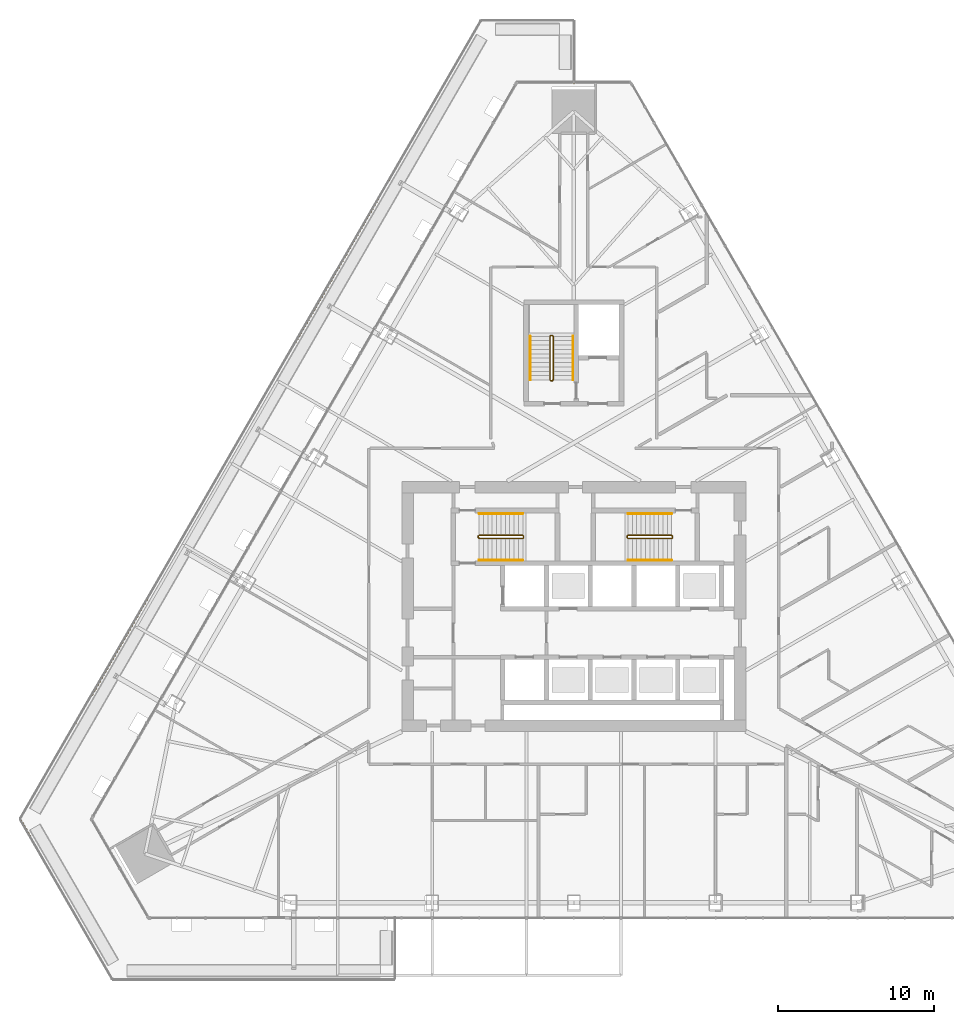
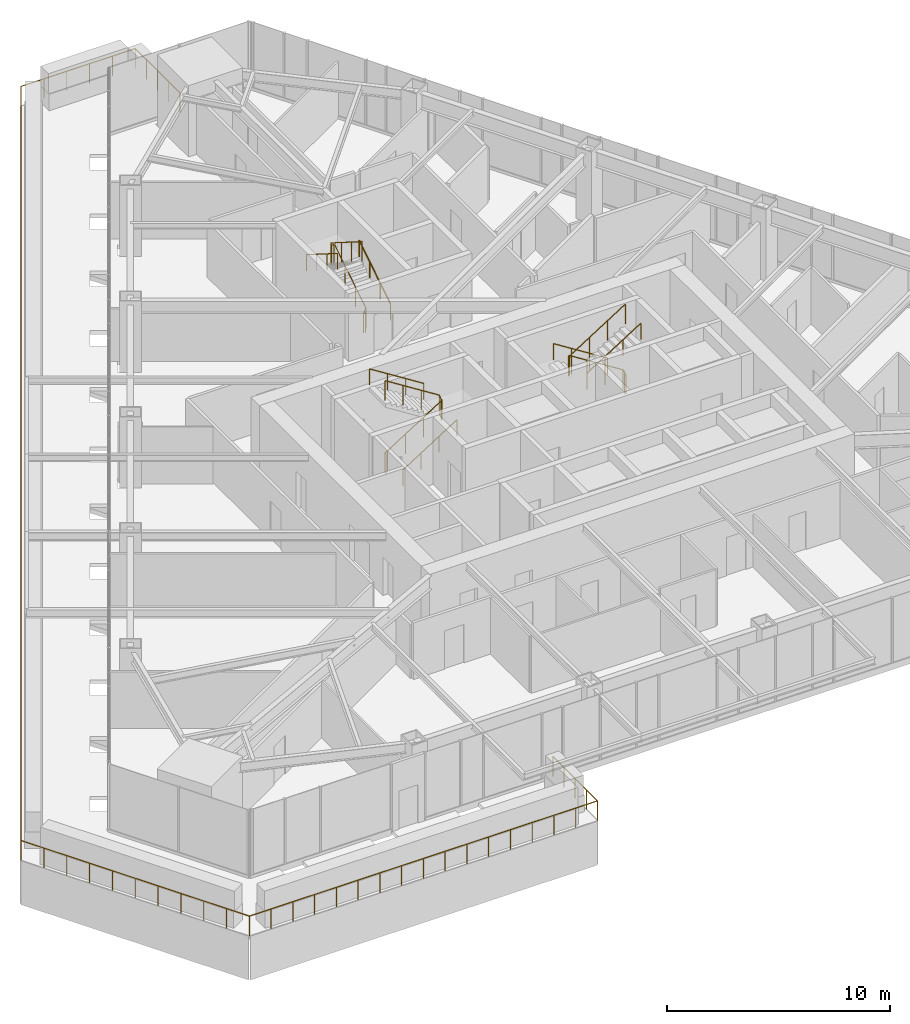
# One storey, part 33 of 35: 10 railings.
"""IFC4 building model written with IfcOpenShell, lengths in metres."""

from ifc_helpers import new_model, si_unit, direction, frame, origin, origin_2d, place, context, subcontext, project, spatial, circle, extrude, material, type_object, element, save


model = new_model("IFC4")

# Units and contexts
model_context = context("Model", 3, precision=1e-05, world=origin(), true_north=direction((0.0, 1.0)))
body_context = subcontext(model_context, "Body", "Model", "MODEL_VIEW")
ifc_project = project(units=[si_unit("LENGTHUNIT", "METRE"), si_unit("AREAUNIT", "SQUARE_METRE"), si_unit("VOLUMEUNIT", "CUBIC_METRE"), si_unit("PLANEANGLEUNIT", "RADIAN"), si_unit("MASSUNIT", "GRAM", prefix="KILO")], contexts=[model_context])

# Site, building, storey
site_placement = place(None, origin())
site = spatial("IfcSite", under=ifc_project, at=site_placement, CompositionType="ELEMENT")
building_placement = place(site_placement, origin())
building = spatial("IfcBuilding", under=site, at=building_placement, Name="Firuza Gate Tower and Library", CompositionType="ELEMENT")
storey_placement = place(building_placement, frame((0.0, 0.0, 159.699951171875)))
storey = spatial("IfcBuildingStorey", under=building, at=storey_placement, Name="L36", CompositionType="ELEMENT", Elevation=159.699951171875)

# Railings
ifc_material_1 = material(Name="Steel S355", Category="steel")
railing_type_1 = type_object("IfcRailingType", Name="Stair guard 1100", PredefinedType="GUARDRAIL", material=ifc_material_1)
railing_1_placement = place(storey_placement, frame((68.889892578125, 79.389892578125, 0.0)))
element("IfcRailing", 1, at=railing_1_placement, inside=storey, type_object=railing_type_1, Name="L36 ST1 stair guard 1", PredefinedType="GUARDRAIL", context=body_context, shape_type="SweptSolid", body=[
    extrude(circle(Radius=0.02392578125, at=origin_2d()), frame((0.0, 0.0, 1.076171875), z_axis=(0.0, 1.0, 0.0), x_axis=(-1.0, 0.0, 0.0)), (0.0, 0.0, 1.0), 0.10009765625),
    extrude(circle(Radius=0.02392578125, at=origin_2d()), frame((0.0, 0.10009765625, 1.076171875), z_axis=(0.210758951027, -0.631248760638, 0.74639511437), x_axis=(0.948528701346, 0.316691178788, 0.0)), (0.0, 0.0, 1.0), 0.237548828125),
    extrude(circle(Radius=0.02392578125, at=origin_2d()), frame((0.050048828125, -0.0498046875, 1.25341796875), z_axis=(0.844908973607, 0.0, 0.534910110503), x_axis=(0.0, 1.0, 0.0)), (0.0, 0.0, 1.0), 3.31396484375),
    extrude(circle(Radius=0.02392578125, at=origin_2d()), frame((2.85009765625, -0.0498046875, 3.02587890625), z_axis=(0.708833529934, 0.705375805398, 0.0), x_axis=(-0.705375805398, 0.708833529934, 0.0)), (0.0, 0.0, 1.0), 0.070556640625),
    extrude(circle(Radius=0.02392578125, at=origin_2d()), frame((2.900146484375, 0.0, 3.02587890625), z_axis=(0.0, 1.0, 0.0), x_axis=(-1.0, 0.0, 0.0)), (0.0, 0.0, 1.0), 0.10009765625),
    extrude(circle(Radius=0.02392578125, at=origin_2d()), frame((2.900146484375, 0.10009765625, 3.02587890625), z_axis=(-0.261922500866, 0.261922500866, 0.928866625022), x_axis=(-0.707106781187, -0.707106781187, 0.0)), (0.0, 0.0, 1.0), 0.191162109375),
    extrude(circle(Radius=0.02392578125, at=origin_2d()), frame((2.85009765625, 0.150146484375, 3.20361328125), z_axis=(-0.844908973607, 0.0, 0.534910110503), x_axis=(0.0, -1.0, 0.0)), (0.0, 0.0, 1.0), 3.31396484375),
    extrude(circle(Radius=0.02099609375, at=origin_2d()), origin(), (0.0, 0.0, 1.0), 1.052001953125),
    extrude(circle(Radius=0.02099609375, at=origin_2d()), frame((0.0, 0.10009765625, 0.0)), (0.0, 0.0, 1.0), 1.052001953125),
    extrude(circle(Radius=0.02099609375, at=origin_2d()), frame((0.050048828125, -0.0498046875, 0.17724609375)), (0.0, 0.0, 1.0), 1.052001953125),
    extrude(circle(Radius=0.02099609375, at=origin_2d()), frame((0.9833984375, -0.0498046875, 0.76806640625)), (0.0, 0.0, 1.0), 1.052001953125),
    extrude(circle(Radius=0.02099609375, at=origin_2d()), frame((1.916748046875, -0.0498046875, 1.359130859375)), (0.0, 0.0, 1.0), 1.052001953125),
    extrude(circle(Radius=0.02099609375, at=origin_2d()), frame((2.85009765625, -0.0498046875, 1.949951171875)), (0.0, 0.0, 1.0), 1.052001953125),
    extrude(circle(Radius=0.02099609375, at=origin_2d()), frame((2.900146484375, 0.0, 1.949951171875)), (0.0, 0.0, 1.0), 1.052001953125),
    extrude(circle(Radius=0.02099609375, at=origin_2d()), frame((2.900146484375, 0.10009765625, 1.949951171875)), (0.0, 0.0, 1.0), 1.052001953125),
    extrude(circle(Radius=0.02099609375, at=origin_2d()), frame((2.85009765625, 0.150146484375, 2.12744140625)), (0.0, 0.0, 1.0), 1.052001953125),
    extrude(circle(Radius=0.02099609375, at=origin_2d()), frame((1.916748046875, 0.150146484375, 2.71826171875)), (0.0, 0.0, 1.0), 1.052001953125),
    extrude(circle(Radius=0.02099609375, at=origin_2d()), frame((0.9833984375, 0.150146484375, 3.309326171875)), (0.0, 0.0, 1.0), 1.052001953125),
    extrude(circle(Radius=0.02099609375, at=origin_2d()), frame((0.050048828125, 0.150146484375, 3.900146484375)), (0.0, 0.0, 1.0), 1.052001953125),
])
railing_2_placement = place(storey_placement, frame((81.31005859375, 79.489990234375, 0.0)))
element("IfcRailing", 2, at=railing_2_placement, inside=storey, type_object=railing_type_1, Name="L36 ST2 stair guard 1", PredefinedType="GUARDRAIL", context=body_context, shape_type="SweptSolid", body=[
    extrude(circle(Radius=0.02392578125, at=origin_2d()), frame((0.0, 0.0, 1.076171875), z_axis=(0.0, -1.0, 0.0), x_axis=(1.0, 0.0, 0.0)), (0.0, 0.0, 1.0), 0.10009765625),
    extrude(circle(Radius=0.02392578125, at=origin_2d()), frame((0.0, -0.10009765625, 1.076171875), z_axis=(-0.210622194084, 0.631866582253, 0.74591079466), x_axis=(-0.948683298051, -0.316227766017, 0.0)), (0.0, 0.0, 1.0), 0.237548828125),
    extrude(circle(Radius=0.02392578125, at=origin_2d()), frame((-0.050048828125, 0.050048828125, 1.25341796875), z_axis=(-0.844908973607, 0.0, 0.534910110503), x_axis=(0.0, -1.0, 0.0)), (0.0, 0.0, 1.0), 3.31396484375),
    extrude(circle(Radius=0.02392578125, at=origin_2d()), frame((-2.85009765625, 0.050048828125, 3.02587890625), z_axis=(-0.707106781187, -0.707106781187, 0.0), x_axis=(0.707106781187, -0.707106781187, 0.0)), (0.0, 0.0, 1.0), 0.07080078125),
    extrude(circle(Radius=0.02392578125, at=origin_2d()), frame((-2.900146484375, 0.0, 3.02587890625), z_axis=(0.0, -1.0, 0.0), x_axis=(1.0, 0.0, 0.0)), (0.0, 0.0, 1.0), 0.10009765625),
    extrude(circle(Radius=0.02392578125, at=origin_2d()), frame((-2.900146484375, -0.10009765625, 3.02587890625), z_axis=(0.262009983441, -0.260731885961, 0.929176868105), x_axis=(0.705375805398, 0.708833529934, 0.0)), (0.0, 0.0, 1.0), 0.19091796875),
    extrude(circle(Radius=0.02392578125, at=origin_2d()), frame((-2.85009765625, -0.14990234375, 3.20361328125), z_axis=(0.844908973607, 0.0, 0.534910110503), x_axis=(0.0, 1.0, 0.0)), (0.0, 0.0, 1.0), 3.31396484375),
    extrude(circle(Radius=0.02099609375, at=origin_2d()), origin(), (0.0, 0.0, 1.0), 1.052001953125),
    extrude(circle(Radius=0.02099609375, at=origin_2d()), frame((0.0, -0.10009765625, 0.0)), (0.0, 0.0, 1.0), 1.052001953125),
    extrude(circle(Radius=0.02099609375, at=origin_2d()), frame((-0.050048828125, 0.050048828125, 0.17724609375)), (0.0, 0.0, 1.0), 1.052001953125),
    extrude(circle(Radius=0.02099609375, at=origin_2d()), frame((-0.9833984375, 0.050048828125, 0.76806640625)), (0.0, 0.0, 1.0), 1.052001953125),
    extrude(circle(Radius=0.02099609375, at=origin_2d()), frame((-1.916748046875, 0.050048828125, 1.359130859375)), (0.0, 0.0, 1.0), 1.052001953125),
    extrude(circle(Radius=0.02099609375, at=origin_2d()), frame((-2.85009765625, 0.050048828125, 1.949951171875)), (0.0, 0.0, 1.0), 1.052001953125),
    extrude(circle(Radius=0.02099609375, at=origin_2d()), frame((-2.900146484375, 0.0, 1.949951171875)), (0.0, 0.0, 1.0), 1.052001953125),
    extrude(circle(Radius=0.02099609375, at=origin_2d()), frame((-2.900146484375, -0.10009765625, 1.949951171875)), (0.0, 0.0, 1.0), 1.052001953125),
    extrude(circle(Radius=0.02099609375, at=origin_2d()), frame((-2.85009765625, -0.14990234375, 2.12744140625)), (0.0, 0.0, 1.0), 1.052001953125),
    extrude(circle(Radius=0.02099609375, at=origin_2d()), frame((-1.916748046875, -0.14990234375, 2.71826171875)), (0.0, 0.0, 1.0), 1.052001953125),
    extrude(circle(Radius=0.02099609375, at=origin_2d()), frame((-0.9833984375, -0.14990234375, 3.309326171875)), (0.0, 0.0, 1.0), 1.052001953125),
    extrude(circle(Radius=0.02099609375, at=origin_2d()), frame((-0.050048828125, -0.14990234375, 3.900146484375)), (0.0, 0.0, 1.0), 1.052001953125),
])
railing_3_placement = place(storey_placement, frame((73.6298828125, 89.419921875, 0.0)))
element("IfcRailing", 3, at=railing_3_placement, inside=storey, type_object=railing_type_1, Name="L36 ST3 stair guard 1", PredefinedType="GUARDRAIL", context=body_context, shape_type="SweptSolid", body=[
    extrude(circle(Radius=0.02392578125, at=origin_2d()), frame((0.0, 0.0, 1.076171875), z_axis=(-1.0, 0.0, 0.0), x_axis=(0.0, -1.0, 0.0)), (0.0, 0.0, 1.0), 0.099853515625),
    extrude(circle(Radius=0.02392578125, at=origin_2d()), frame((-0.099853515625, 0.0, 1.076171875), z_axis=(0.631248760638, 0.210758951027, 0.74639511437), x_axis=(-0.316691178788, 0.948528701346, 0.0)), (0.0, 0.0, 1.0), 0.237548828125),
    extrude(circle(Radius=0.02392578125, at=origin_2d()), frame((0.050048828125, 0.050048828125, 1.25341796875), z_axis=(0.0, 0.844908973607, 0.534910110503), x_axis=(-1.0, 0.0, 0.0)), (0.0, 0.0, 1.0), 3.31396484375),
    extrude(circle(Radius=0.02392578125, at=origin_2d()), frame((0.050048828125, 2.85009765625, 3.02587890625), z_axis=(-0.707106781187, 0.707106781187, 0.0), x_axis=(-0.707106781187, -0.707106781187, 0.0)), (0.0, 0.0, 1.0), 0.07080078125),
    extrude(circle(Radius=0.02392578125, at=origin_2d()), frame((0.0, 2.900146484375, 3.02587890625), z_axis=(-1.0, 0.0, 0.0), x_axis=(0.0, -1.0, 0.0)), (0.0, 0.0, 1.0), 0.099853515625),
    extrude(circle(Radius=0.02392578125, at=origin_2d()), frame((-0.099853515625, 2.900146484375, 3.02587890625), z_axis=(-0.261922500866, -0.261922500866, 0.928866625022), x_axis=(0.707106781187, -0.707106781187, 0.0)), (0.0, 0.0, 1.0), 0.191162109375),
    extrude(circle(Radius=0.02392578125, at=origin_2d()), frame((-0.14990234375, 2.85009765625, 3.20361328125), z_axis=(0.0, -0.844908973607, 0.534910110503), x_axis=(1.0, 0.0, 0.0)), (0.0, 0.0, 1.0), 3.31396484375),
    extrude(circle(Radius=0.02099609375, at=origin_2d()), origin(), (0.0, 0.0, 1.0), 1.052001953125),
    extrude(circle(Radius=0.02099609375, at=origin_2d()), frame((-0.099853515625, 0.0, 0.0)), (0.0, 0.0, 1.0), 1.052001953125),
    extrude(circle(Radius=0.02099609375, at=origin_2d()), frame((0.050048828125, 0.050048828125, 0.17724609375)), (0.0, 0.0, 1.0), 1.052001953125),
    extrude(circle(Radius=0.02099609375, at=origin_2d()), frame((0.050048828125, 0.9833984375, 0.76806640625)), (0.0, 0.0, 1.0), 1.052001953125),
    extrude(circle(Radius=0.02099609375, at=origin_2d()), frame((0.050048828125, 1.916748046875, 1.359130859375)), (0.0, 0.0, 1.0), 1.052001953125),
    extrude(circle(Radius=0.02099609375, at=origin_2d()), frame((0.050048828125, 2.85009765625, 1.949951171875)), (0.0, 0.0, 1.0), 1.052001953125),
    extrude(circle(Radius=0.02099609375, at=origin_2d()), frame((0.0, 2.900146484375, 1.949951171875)), (0.0, 0.0, 1.0), 1.052001953125),
    extrude(circle(Radius=0.02099609375, at=origin_2d()), frame((-0.099853515625, 2.900146484375, 1.949951171875)), (0.0, 0.0, 1.0), 1.052001953125),
    extrude(circle(Radius=0.02099609375, at=origin_2d()), frame((-0.14990234375, 2.85009765625, 2.12744140625)), (0.0, 0.0, 1.0), 1.052001953125),
    extrude(circle(Radius=0.02099609375, at=origin_2d()), frame((-0.14990234375, 1.916748046875, 2.71826171875)), (0.0, 0.0, 1.0), 1.052001953125),
    extrude(circle(Radius=0.02099609375, at=origin_2d()), frame((-0.14990234375, 0.9833984375, 3.309326171875)), (0.0, 0.0, 1.0), 1.052001953125),
    extrude(circle(Radius=0.02099609375, at=origin_2d()), frame((-0.14990234375, 0.050048828125, 3.900146484375)), (0.0, 0.0, 1.0), 1.052001953125),
])
ifc_material_2 = material(Name="Steel S355", Category="steel")
railing_type_2 = type_object("IfcRailingType", Name="Stair handrail 900", PredefinedType="HANDRAIL", material=ifc_material_2)
railing_4_placement = place(storey_placement, frame((68.93994140625, 77.949951171875, 0.17724609375)))
element("IfcRailing", 4, at=railing_4_placement, inside=storey, type_object=railing_type_2, Name="L36 ST1 stair handrail 1", PredefinedType="HANDRAIL", context=body_context, shape_type="SweptSolid", body=[
    extrude(circle(Radius=0.02392578125, at=origin_2d()), frame((0.0, 0.0, 0.8759765625), z_axis=(0.844908973607, 0.0, 0.534910110503), x_axis=(0.0, 1.0, 0.0)), (0.0, 0.0, 1.0), 3.31396484375),
    extrude(circle(Radius=0.02099609375, at=origin_2d()), origin(), (0.0, 0.0, 1.0), 0.851806640625),
    extrude(circle(Radius=0.02099609375, at=origin_2d()), frame((0.933349609375, 0.0, 0.5908203125)), (0.0, 0.0, 1.0), 0.851806640625),
    extrude(circle(Radius=0.02099609375, at=origin_2d()), frame((1.86669921875, 0.0, 1.181884765625)), (0.0, 0.0, 1.0), 0.851806640625),
    extrude(circle(Radius=0.02099609375, at=origin_2d()), frame((2.800048828125, 0.0, 1.772705078125)), (0.0, 0.0, 1.0), 0.851806640625),
])
for number, where, name in (
    (5, (71.739990234375, 80.929931640625, 2.12744140625), "L36 ST1 stair handrail 2"),
    (6, (81.260009765625, 80.929931640625, 0.17724609375), "L36 ST2 stair handrail 1"),
):
    element("IfcRailing", number, at=place(storey_placement, frame(where)), inside=storey, type_object=railing_type_2, Name=name, PredefinedType="HANDRAIL", context=body_context, shape_type="SweptSolid", body=[
        extrude(circle(Radius=0.02392578125, at=origin_2d()), frame((0.0, 0.0, 0.8759765625), z_axis=(-0.844908973607, 0.0, 0.534910110503), x_axis=(0.0, -1.0, 0.0)), (0.0, 0.0, 1.0), 3.31396484375),
        extrude(circle(Radius=0.02099609375, at=origin_2d()), origin(), (0.0, 0.0, 1.0), 0.851806640625),
        extrude(circle(Radius=0.02099609375, at=origin_2d()), frame((-0.933349609375, 0.0, 0.5908203125)), (0.0, 0.0, 1.0), 0.851806640625),
        extrude(circle(Radius=0.02099609375, at=origin_2d()), frame((-1.86669921875, 0.0, 1.181884765625)), (0.0, 0.0, 1.0), 0.851806640625),
        extrude(circle(Radius=0.02099609375, at=origin_2d()), frame((-2.800048828125, 0.0, 1.772705078125)), (0.0, 0.0, 1.0), 0.851806640625),
    ])
railing_5_placement = place(storey_placement, frame((78.4599609375, 77.949951171875, 2.12744140625)))
element("IfcRailing", 7, at=railing_5_placement, inside=storey, type_object=railing_type_2, Name="L36 ST2 stair handrail 2", PredefinedType="HANDRAIL", context=body_context, shape_type="SweptSolid", body=[
    extrude(circle(Radius=0.02392578125, at=origin_2d()), frame((0.0, 0.0, 0.8759765625), z_axis=(0.844908973607, 0.0, 0.534910110503), x_axis=(0.0, 1.0, 0.0)), (0.0, 0.0, 1.0), 3.31396484375),
    extrude(circle(Radius=0.02099609375, at=origin_2d()), origin(), (0.0, 0.0, 1.0), 0.851806640625),
    extrude(circle(Radius=0.02099609375, at=origin_2d()), frame((0.933349609375, 0.0, 0.5908203125)), (0.0, 0.0, 1.0), 0.851806640625),
    extrude(circle(Radius=0.02099609375, at=origin_2d()), frame((1.86669921875, 0.0, 1.181884765625)), (0.0, 0.0, 1.0), 0.851806640625),
    extrude(circle(Radius=0.02099609375, at=origin_2d()), frame((2.800048828125, 0.0, 1.772705078125)), (0.0, 0.0, 1.0), 0.851806640625),
])
railing_6_placement = place(storey_placement, frame((74.949951171875, 89.469970703125, 0.17724609375)))
element("IfcRailing", 8, at=railing_6_placement, inside=storey, type_object=railing_type_2, Name="L36 ST3 stair handrail 1", PredefinedType="HANDRAIL", context=body_context, shape_type="SweptSolid", body=[
    extrude(circle(Radius=0.02392578125, at=origin_2d()), frame((0.0, 0.0, 0.8759765625), z_axis=(0.0, 0.844908973607, 0.534910110503), x_axis=(-1.0, 0.0, 0.0)), (0.0, 0.0, 1.0), 3.31396484375),
    extrude(circle(Radius=0.02099609375, at=origin_2d()), origin(), (0.0, 0.0, 1.0), 0.851806640625),
    extrude(circle(Radius=0.02099609375, at=origin_2d()), frame((0.0, 0.933349609375, 0.5908203125)), (0.0, 0.0, 1.0), 0.851806640625),
    extrude(circle(Radius=0.02099609375, at=origin_2d()), frame((0.0, 1.86669921875, 1.181884765625)), (0.0, 0.0, 1.0), 0.851806640625),
    extrude(circle(Radius=0.02099609375, at=origin_2d()), frame((0.0, 2.800048828125, 1.772705078125)), (0.0, 0.0, 1.0), 0.851806640625),
])
railing_7_placement = place(storey_placement, frame((72.2099609375, 92.27001953125, 2.12744140625)))
element("IfcRailing", 9, at=railing_7_placement, inside=storey, type_object=railing_type_2, Name="L36 ST3 stair handrail 2", PredefinedType="HANDRAIL", context=body_context, shape_type="SweptSolid", body=[
    extrude(circle(Radius=0.02392578125, at=origin_2d()), frame((0.0, 0.0, 0.8759765625), z_axis=(0.0, -0.844908973607, 0.534910110503), x_axis=(1.0, 0.0, 0.0)), (0.0, 0.0, 1.0), 3.31396484375),
    extrude(circle(Radius=0.02099609375, at=origin_2d()), origin(), (0.0, 0.0, 1.0), 0.851806640625),
    extrude(circle(Radius=0.02099609375, at=origin_2d()), frame((0.0, -0.933349609375, 0.5908203125)), (0.0, 0.0, 1.0), 0.851806640625),
    extrude(circle(Radius=0.02099609375, at=origin_2d()), frame((0.0, -1.86669921875, 1.181884765625)), (0.0, 0.0, 1.0), 0.851806640625),
    extrude(circle(Radius=0.02099609375, at=origin_2d()), frame((0.0, -2.800048828125, 1.772705078125)), (0.0, 0.0, 1.0), 0.851806640625),
])
ifc_material_3 = material(Name="Steel S355", Category="steel")
railing_type_3 = type_object("IfcRailingType", Name="Terrace guard 1100", PredefinedType="GUARDRAIL", material=ifc_material_3)
railing_8_placement = place(storey_placement, frame((75.0, 108.4423828125, 0.0)))
element("IfcRailing", 10, at=railing_8_placement, inside=storey, type_object=railing_type_3, Name="Tray guard L36", PredefinedType="GUARDRAIL", context=body_context, shape_type="SweptSolid", body=[
    extrude(circle(Radius=0.02392578125, at=origin_2d()), frame((0.0, 0.0, 1.076171875), z_axis=(0.0, 1.0, 0.0), x_axis=(-1.0, 0.0, 0.0)), (0.0, 0.0, 1.0), 4.0),
    extrude(circle(Radius=0.02392578125, at=origin_2d()), frame((0.0, 4.0, 1.076171875), z_axis=(-1.0, 0.0, 0.0), x_axis=(0.0, -1.0, 0.0)), (0.0, 0.0, 1.0), 5.909423828125),
    extrude(circle(Radius=0.02392578125, at=origin_2d()), frame((-5.909423828125, 4.0, 1.076171875), z_axis=(-0.499997814005, -0.866026665866, 0.0), x_axis=(0.866026665866, -0.499997814005, 0.0)), (0.0, 0.0, 1.0), 58.942626953125),
    extrude(circle(Radius=0.02392578125, at=origin_2d()), frame((-35.380615234375, -47.0458984375, 1.076171875), z_axis=(0.499987099225, -0.866032851922, 0.0), x_axis=(0.866032851922, 0.499987099225, 0.0)), (0.0, 0.0, 1.0), 11.818603515625),
    extrude(circle(Radius=0.02392578125, at=origin_2d()), frame((-29.471435546875, -57.28125, 1.076171875), z_axis=(1.0, 0.0, 0.0), x_axis=(0.0, 1.0, 0.0)), (0.0, 0.0, 1.0), 18.017578125),
    extrude(circle(Radius=0.02392578125, at=origin_2d()), frame((-11.453857421875, -57.28125, 1.076171875), z_axis=(0.0, 1.0, 0.0), x_axis=(-1.0, 0.0, 0.0)), (0.0, 0.0, 1.0), 4.0),
    extrude(circle(Radius=0.02099609375, at=origin_2d()), origin(), (0.0, 0.0, 1.0), 1.052001953125),
    extrude(circle(Radius=0.02099609375, at=origin_2d()), frame((0.0, 1.0, 0.0)), (0.0, 0.0, 1.0), 1.052001953125),
    extrude(circle(Radius=0.02099609375, at=origin_2d()), frame((0.0, 2.0, 0.0)), (0.0, 0.0, 1.0), 1.052001953125),
    extrude(circle(Radius=0.02099609375, at=origin_2d()), frame((0.0, 3.0, 0.0)), (0.0, 0.0, 1.0), 1.052001953125),
    extrude(circle(Radius=0.02099609375, at=origin_2d()), frame((0.0, 4.0, 0.0)), (0.0, 0.0, 1.0), 1.052001953125),
    extrude(circle(Radius=0.02099609375, at=origin_2d()), frame((-1.181884765625, 4.0, 0.0)), (0.0, 0.0, 1.0), 1.052001953125),
    extrude(circle(Radius=0.02099609375, at=origin_2d()), frame((-2.36376953125, 4.0, 0.0)), (0.0, 0.0, 1.0), 1.052001953125),
    extrude(circle(Radius=0.02099609375, at=origin_2d()), frame((-3.545654296875, 4.0, 0.0)), (0.0, 0.0, 1.0), 1.052001953125),
    extrude(circle(Radius=0.02099609375, at=origin_2d()), frame((-4.7275390625, 4.0, 0.0)), (0.0, 0.0, 1.0), 1.052001953125),
    extrude(circle(Radius=0.02099609375, at=origin_2d()), frame((-5.909423828125, 4.0, 0.0)), (0.0, 0.0, 1.0), 1.052001953125),
    extrude(circle(Radius=0.02099609375, at=origin_2d()), frame((-6.498779296875, 2.97900390625, 0.0)), (0.0, 0.0, 1.0), 1.052001953125),
    extrude(circle(Radius=0.02099609375, at=origin_2d()), frame((-7.08837890625, 1.958251953125, 0.0)), (0.0, 0.0, 1.0), 1.052001953125),
    extrude(circle(Radius=0.02099609375, at=origin_2d()), frame((-7.677734375, 0.937255859375, 0.0)), (0.0, 0.0, 1.0), 1.052001953125),
    extrude(circle(Radius=0.02099609375, at=origin_2d()), frame((-8.26708984375, -0.083740234375, 0.0)), (0.0, 0.0, 1.0), 1.052001953125),
    extrude(circle(Radius=0.02099609375, at=origin_2d()), frame((-8.8564453125, -1.1044921875, 0.0)), (0.0, 0.0, 1.0), 1.052001953125),
    extrude(circle(Radius=0.02099609375, at=origin_2d()), frame((-9.446044921875, -2.12548828125, 0.0)), (0.0, 0.0, 1.0), 1.052001953125),
    extrude(circle(Radius=0.02099609375, at=origin_2d()), frame((-10.035400390625, -3.146484375, 0.0)), (0.0, 0.0, 1.0), 1.052001953125),
    extrude(circle(Radius=0.02099609375, at=origin_2d()), frame((-10.624755859375, -4.167236328125, 0.0)), (0.0, 0.0, 1.0), 1.052001953125),
    extrude(circle(Radius=0.02099609375, at=origin_2d()), frame((-11.21435546875, -5.188232421875, 0.0)), (0.0, 0.0, 1.0), 1.052001953125),
    extrude(circle(Radius=0.02099609375, at=origin_2d()), frame((-11.8037109375, -6.209228515625, 0.0)), (0.0, 0.0, 1.0), 1.052001953125),
    extrude(circle(Radius=0.02099609375, at=origin_2d()), frame((-12.39306640625, -7.22998046875, 0.0)), (0.0, 0.0, 1.0), 1.052001953125),
    extrude(circle(Radius=0.02099609375, at=origin_2d()), frame((-12.982421875, -8.2509765625, 0.0)), (0.0, 0.0, 1.0), 1.052001953125),
    extrude(circle(Radius=0.02099609375, at=origin_2d()), frame((-13.572021484375, -9.27197265625, 0.0)), (0.0, 0.0, 1.0), 1.052001953125),
    extrude(circle(Radius=0.02099609375, at=origin_2d()), frame((-14.161376953125, -10.29296875, 0.0)), (0.0, 0.0, 1.0), 1.052001953125),
    extrude(circle(Radius=0.02099609375, at=origin_2d()), frame((-14.750732421875, -11.313720703125, 0.0)), (0.0, 0.0, 1.0), 1.052001953125),
    extrude(circle(Radius=0.02099609375, at=origin_2d()), frame((-15.340087890625, -12.334716796875, 0.0)), (0.0, 0.0, 1.0), 1.052001953125),
    extrude(circle(Radius=0.02099609375, at=origin_2d()), frame((-15.9296875, -13.355712890625, 0.0)), (0.0, 0.0, 1.0), 1.052001953125),
    extrude(circle(Radius=0.02099609375, at=origin_2d()), frame((-16.51904296875, -14.37646484375, 0.0)), (0.0, 0.0, 1.0), 1.052001953125),
    extrude(circle(Radius=0.02099609375, at=origin_2d()), frame((-17.1083984375, -15.3974609375, 0.0)), (0.0, 0.0, 1.0), 1.052001953125),
    extrude(circle(Radius=0.02099609375, at=origin_2d()), frame((-17.697998046875, -16.41845703125, 0.0)), (0.0, 0.0, 1.0), 1.052001953125),
    extrude(circle(Radius=0.02099609375, at=origin_2d()), frame((-18.287353515625, -17.439208984375, 0.0)), (0.0, 0.0, 1.0), 1.052001953125),
    extrude(circle(Radius=0.02099609375, at=origin_2d()), frame((-18.876708984375, -18.460205078125, 0.0)), (0.0, 0.0, 1.0), 1.052001953125),
    extrude(circle(Radius=0.02099609375, at=origin_2d()), frame((-19.466064453125, -19.481201171875, 0.0)), (0.0, 0.0, 1.0), 1.052001953125),
    extrude(circle(Radius=0.02099609375, at=origin_2d()), frame((-20.0556640625, -20.501953125, 0.0)), (0.0, 0.0, 1.0), 1.052001953125),
    extrude(circle(Radius=0.02099609375, at=origin_2d()), frame((-20.64501953125, -21.52294921875, 0.0)), (0.0, 0.0, 1.0), 1.052001953125),
    extrude(circle(Radius=0.02099609375, at=origin_2d()), frame((-21.234375, -22.5439453125, 0.0)), (0.0, 0.0, 1.0), 1.052001953125),
    extrude(circle(Radius=0.02099609375, at=origin_2d()), frame((-21.823974609375, -23.564697265625, 0.0)), (0.0, 0.0, 1.0), 1.052001953125),
    extrude(circle(Radius=0.02099609375, at=origin_2d()), frame((-22.413330078125, -24.585693359375, 0.0)), (0.0, 0.0, 1.0), 1.052001953125),
    extrude(circle(Radius=0.02099609375, at=origin_2d()), frame((-23.002685546875, -25.606689453125, 0.0)), (0.0, 0.0, 1.0), 1.052001953125),
    extrude(circle(Radius=0.02099609375, at=origin_2d()), frame((-23.592041015625, -26.62744140625, 0.0)), (0.0, 0.0, 1.0), 1.052001953125),
    extrude(circle(Radius=0.02099609375, at=origin_2d()), frame((-24.181640625, -27.6484375, 0.0)), (0.0, 0.0, 1.0), 1.052001953125),
    extrude(circle(Radius=0.02099609375, at=origin_2d()), frame((-24.77099609375, -28.66943359375, 0.0)), (0.0, 0.0, 1.0), 1.052001953125),
    extrude(circle(Radius=0.02099609375, at=origin_2d()), frame((-25.3603515625, -29.690185546875, 0.0)), (0.0, 0.0, 1.0), 1.052001953125),
    extrude(circle(Radius=0.02099609375, at=origin_2d()), frame((-25.949951171875, -30.711181640625, 0.0)), (0.0, 0.0, 1.0), 1.052001953125),
    extrude(circle(Radius=0.02099609375, at=origin_2d()), frame((-26.539306640625, -31.732177734375, 0.0)), (0.0, 0.0, 1.0), 1.052001953125),
    extrude(circle(Radius=0.02099609375, at=origin_2d()), frame((-27.128662109375, -32.7529296875, 0.0)), (0.0, 0.0, 1.0), 1.052001953125),
    extrude(circle(Radius=0.02099609375, at=origin_2d()), frame((-27.718017578125, -33.77392578125, 0.0)), (0.0, 0.0, 1.0), 1.052001953125),
    extrude(circle(Radius=0.02099609375, at=origin_2d()), frame((-28.3076171875, -34.794921875, 0.0)), (0.0, 0.0, 1.0), 1.052001953125),
    extrude(circle(Radius=0.02099609375, at=origin_2d()), frame((-28.89697265625, -35.81591796875, 0.0)), (0.0, 0.0, 1.0), 1.052001953125),
    extrude(circle(Radius=0.02099609375, at=origin_2d()), frame((-29.486328125, -36.836669921875, 0.0)), (0.0, 0.0, 1.0), 1.052001953125),
    extrude(circle(Radius=0.02099609375, at=origin_2d()), frame((-30.07568359375, -37.857666015625, 0.0)), (0.0, 0.0, 1.0), 1.052001953125),
    extrude(circle(Radius=0.02099609375, at=origin_2d()), frame((-30.665283203125, -38.878662109375, 0.0)), (0.0, 0.0, 1.0), 1.052001953125),
    extrude(circle(Radius=0.02099609375, at=origin_2d()), frame((-31.254638671875, -39.8994140625, 0.0)), (0.0, 0.0, 1.0), 1.052001953125),
    extrude(circle(Radius=0.02099609375, at=origin_2d()), frame((-31.843994140625, -40.92041015625, 0.0)), (0.0, 0.0, 1.0), 1.052001953125),
    extrude(circle(Radius=0.02099609375, at=origin_2d()), frame((-32.43359375, -41.94140625, 0.0)), (0.0, 0.0, 1.0), 1.052001953125),
    extrude(circle(Radius=0.02099609375, at=origin_2d()), frame((-33.02294921875, -42.962158203125, 0.0)), (0.0, 0.0, 1.0), 1.052001953125),
    extrude(circle(Radius=0.02099609375, at=origin_2d()), frame((-33.6123046875, -43.983154296875, 0.0)), (0.0, 0.0, 1.0), 1.052001953125),
    extrude(circle(Radius=0.02099609375, at=origin_2d()), frame((-34.20166015625, -45.004150390625, 0.0)), (0.0, 0.0, 1.0), 1.052001953125),
    extrude(circle(Radius=0.02099609375, at=origin_2d()), frame((-34.791259765625, -46.02490234375, 0.0)), (0.0, 0.0, 1.0), 1.052001953125),
    extrude(circle(Radius=0.02099609375, at=origin_2d()), frame((-35.380615234375, -47.0458984375, 0.0)), (0.0, 0.0, 1.0), 1.052001953125),
    extrude(circle(Radius=0.02099609375, at=origin_2d()), frame((-34.789794921875, -48.0693359375, 0.0)), (0.0, 0.0, 1.0), 1.052001953125),
    extrude(circle(Radius=0.02099609375, at=origin_2d()), frame((-34.19873046875, -49.093017578125, 0.0)), (0.0, 0.0, 1.0), 1.052001953125),
    extrude(circle(Radius=0.02099609375, at=origin_2d()), frame((-33.60791015625, -50.116455078125, 0.0)), (0.0, 0.0, 1.0), 1.052001953125),
    extrude(circle(Radius=0.02099609375, at=origin_2d()), frame((-33.016845703125, -51.14013671875, 0.0)), (0.0, 0.0, 1.0), 1.052001953125),
    extrude(circle(Radius=0.02099609375, at=origin_2d()), frame((-32.426025390625, -52.16357421875, 0.0)), (0.0, 0.0, 1.0), 1.052001953125),
    extrude(circle(Radius=0.02099609375, at=origin_2d()), frame((-31.835205078125, -53.18701171875, 0.0)), (0.0, 0.0, 1.0), 1.052001953125),
    extrude(circle(Radius=0.02099609375, at=origin_2d()), frame((-31.244140625, -54.210693359375, 0.0)), (0.0, 0.0, 1.0), 1.052001953125),
    extrude(circle(Radius=0.02099609375, at=origin_2d()), frame((-30.6533203125, -55.234130859375, 0.0)), (0.0, 0.0, 1.0), 1.052001953125),
    extrude(circle(Radius=0.02099609375, at=origin_2d()), frame((-30.062255859375, -56.2578125, 0.0)), (0.0, 0.0, 1.0), 1.052001953125),
    extrude(circle(Radius=0.02099609375, at=origin_2d()), frame((-29.471435546875, -57.28125, 0.0)), (0.0, 0.0, 1.0), 1.052001953125),
    extrude(circle(Radius=0.02099609375, at=origin_2d()), frame((-28.34521484375, -57.28125, 0.0)), (0.0, 0.0, 1.0), 1.052001953125),
    extrude(circle(Radius=0.02099609375, at=origin_2d()), frame((-27.21923828125, -57.28125, 0.0)), (0.0, 0.0, 1.0), 1.052001953125),
    extrude(circle(Radius=0.02099609375, at=origin_2d()), frame((-26.09326171875, -57.28125, 0.0)), (0.0, 0.0, 1.0), 1.052001953125),
    extrude(circle(Radius=0.02099609375, at=origin_2d()), frame((-24.967041015625, -57.28125, 0.0)), (0.0, 0.0, 1.0), 1.052001953125),
    extrude(circle(Radius=0.02099609375, at=origin_2d()), frame((-23.8408203125, -57.28125, 0.0)), (0.0, 0.0, 1.0), 1.052001953125),
    extrude(circle(Radius=0.02099609375, at=origin_2d()), frame((-22.71484375, -57.28125, 0.0)), (0.0, 0.0, 1.0), 1.052001953125),
    extrude(circle(Radius=0.02099609375, at=origin_2d()), frame((-21.5888671875, -57.28125, 0.0)), (0.0, 0.0, 1.0), 1.052001953125),
    extrude(circle(Radius=0.02099609375, at=origin_2d()), frame((-20.462646484375, -57.28125, 0.0)), (0.0, 0.0, 1.0), 1.052001953125),
    extrude(circle(Radius=0.02099609375, at=origin_2d()), frame((-19.33642578125, -57.28125, 0.0)), (0.0, 0.0, 1.0), 1.052001953125),
    extrude(circle(Radius=0.02099609375, at=origin_2d()), frame((-18.21044921875, -57.28125, 0.0)), (0.0, 0.0, 1.0), 1.052001953125),
    extrude(circle(Radius=0.02099609375, at=origin_2d()), frame((-17.08447265625, -57.28125, 0.0)), (0.0, 0.0, 1.0), 1.052001953125),
    extrude(circle(Radius=0.02099609375, at=origin_2d()), frame((-15.958251953125, -57.28125, 0.0)), (0.0, 0.0, 1.0), 1.052001953125),
    extrude(circle(Radius=0.02099609375, at=origin_2d()), frame((-14.83203125, -57.28125, 0.0)), (0.0, 0.0, 1.0), 1.052001953125),
    extrude(circle(Radius=0.02099609375, at=origin_2d()), frame((-13.7060546875, -57.28125, 0.0)), (0.0, 0.0, 1.0), 1.052001953125),
    extrude(circle(Radius=0.02099609375, at=origin_2d()), frame((-12.580078125, -57.28125, 0.0)), (0.0, 0.0, 1.0), 1.052001953125),
    extrude(circle(Radius=0.02099609375, at=origin_2d()), frame((-11.453857421875, -57.28125, 0.0)), (0.0, 0.0, 1.0), 1.052001953125),
    extrude(circle(Radius=0.02099609375, at=origin_2d()), frame((-11.453857421875, -56.28125, 0.0)), (0.0, 0.0, 1.0), 1.052001953125),
    extrude(circle(Radius=0.02099609375, at=origin_2d()), frame((-11.453857421875, -55.28125, 0.0)), (0.0, 0.0, 1.0), 1.052001953125),
    extrude(circle(Radius=0.02099609375, at=origin_2d()), frame((-11.453857421875, -54.28125, 0.0)), (0.0, 0.0, 1.0), 1.052001953125),
    extrude(circle(Radius=0.02099609375, at=origin_2d()), frame((-11.453857421875, -53.28125, 0.0)), (0.0, 0.0, 1.0), 1.052001953125),
])

save(model, "model.ifc")
